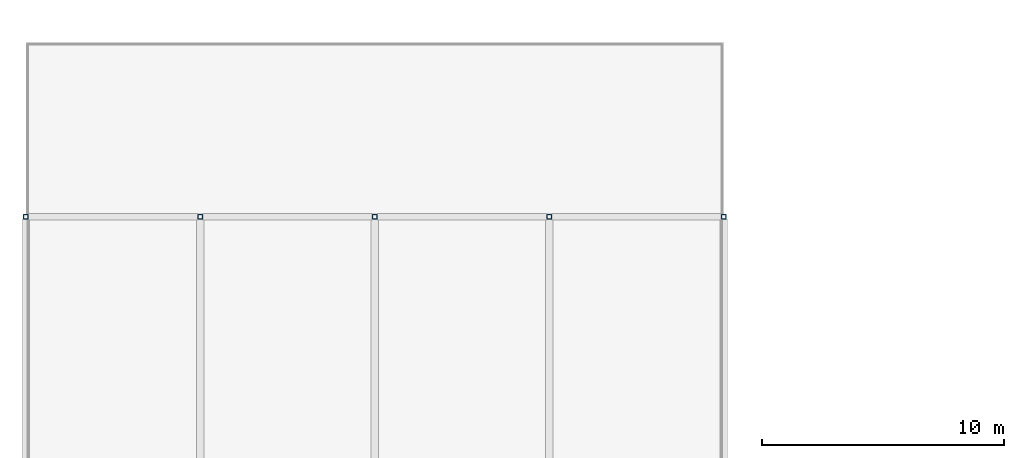
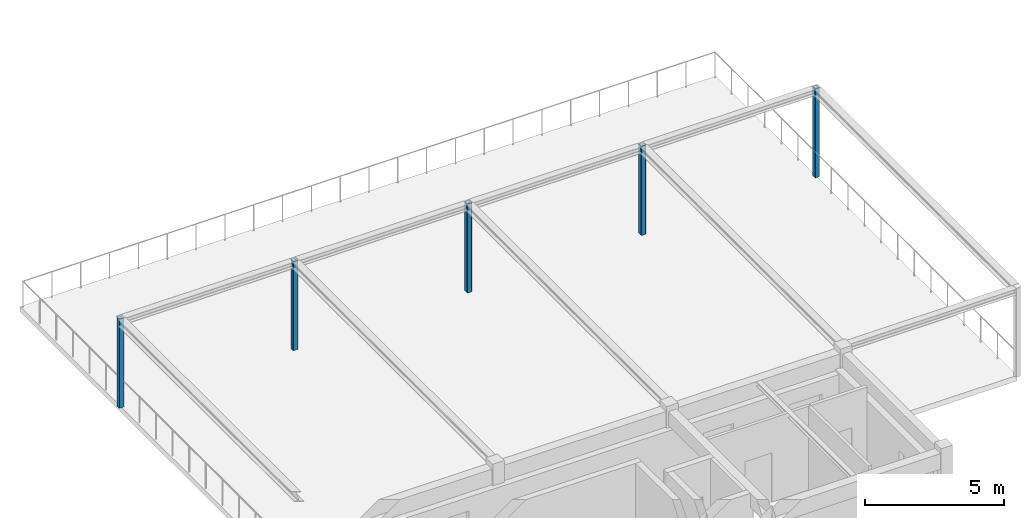
# One storey, part 2 of 20: 5 columns.
"""IFC4 building model written with IfcOpenShell, lengths in metres."""

from ifc_helpers import new_model, si_unit, direction, frame, origin, origin_2d, place, context, subcontext, project, spatial, hollow_rectangle, extrude, material, material_profile, profile_set, type_object, element, save


model = new_model("IFC4")

# Units and contexts
model_context = context("Model", 3, precision=1e-05, world=origin(), true_north=direction((0.0, 1.0)))
body_context = subcontext(model_context, "Body", "Model", "MODEL_VIEW")
ifc_project = project(units=[si_unit("LENGTHUNIT", "METRE"), si_unit("AREAUNIT", "SQUARE_METRE"), si_unit("VOLUMEUNIT", "CUBIC_METRE"), si_unit("PLANEANGLEUNIT", "RADIAN"), si_unit("MASSUNIT", "GRAM", prefix="KILO")], contexts=[model_context])

# Site, building, storey
site_placement = place(None, origin())
site = spatial("IfcSite", under=ifc_project, at=site_placement, CompositionType="ELEMENT")
building_placement = place(site_placement, origin())
building = spatial("IfcBuilding", under=site, at=building_placement, Name="Bramveld Media Centre", CompositionType="ELEMENT")
storey_placement = place(building_placement, frame((0.0, 0.0, 18.0)))
storey = spatial("IfcBuildingStorey", under=building, at=storey_placement, Name="L04", CompositionType="ELEMENT", Elevation=18.0)

# Columns
ifc_material = material(Name="Steel S355J2", Category="steel")
ifc_material_profile = material_profile(ifc_material, hollow_rectangle(XDim=0.199951171875, YDim=0.199951171875, WallThickness=0.012451171875, InnerFilletRadius=0.012451171875, OuterFilletRadius=0.02490234375, at=origin_2d()), Name="SHS 200x200x12.5")
ifc_profile_set = profile_set([ifc_material_profile], Name="Steel S355J2")
column_type = type_object("IfcColumnType", Name="SCOL-EXT-SHS-200x200x12.5", PredefinedType="COLUMN", material=ifc_profile_set)
for number, where, z_axis, x_axis, name in (
    (1, (0.0, 60.800048828125, 0.0), (0.0, 0.0, 1.0), (1.0, 0.0, 0.0), "Rooftop Screen Terrace ramada canopy column 0.0,60.8"),
    (2, (7.199951171875, 60.800048828125, 0.0), (0.0, 0.0, 1.0), (1.0, 0.0, 0.0), "Rooftop Screen Terrace ramada canopy column 7.2,60.8"),
    (3, (14.39990234375, 60.800048828125, 0.0), (0.0, 0.0, 1.0), (1.0, 0.0, 0.0), "Rooftop Screen Terrace ramada canopy column 14.4,60.8"),
    (4, (21.60009765625, 60.800048828125, 0.0), (0.0, 0.0, 1.0), (1.0, 0.0, 0.0), "Rooftop Screen Terrace ramada canopy column 21.6,60.8"),
    (5, (28.800048828125, 60.800048828125, 0.0), (0.0, 0.0, 1.0), (1.0, 0.0, 0.0), "Rooftop Screen Terrace ramada canopy column 28.8,60.8"),
):
    element("IfcColumn", number, at=place(storey_placement, frame(where, z_axis=z_axis, x_axis=x_axis)), inside=storey, type_object=column_type, Name=name, PredefinedType="COLUMN", context=body_context, shape_type="SweptSolid", body=[
        extrude(hollow_rectangle(XDim=0.199951171875, YDim=0.199951171875, WallThickness=0.012451171875, InnerFilletRadius=0.012451171875, OuterFilletRadius=0.02490234375, at=origin_2d()), origin(), (0.0, 0.0, 1.0), 3.89990234375),
    ])

save(model, "model.ifc")
